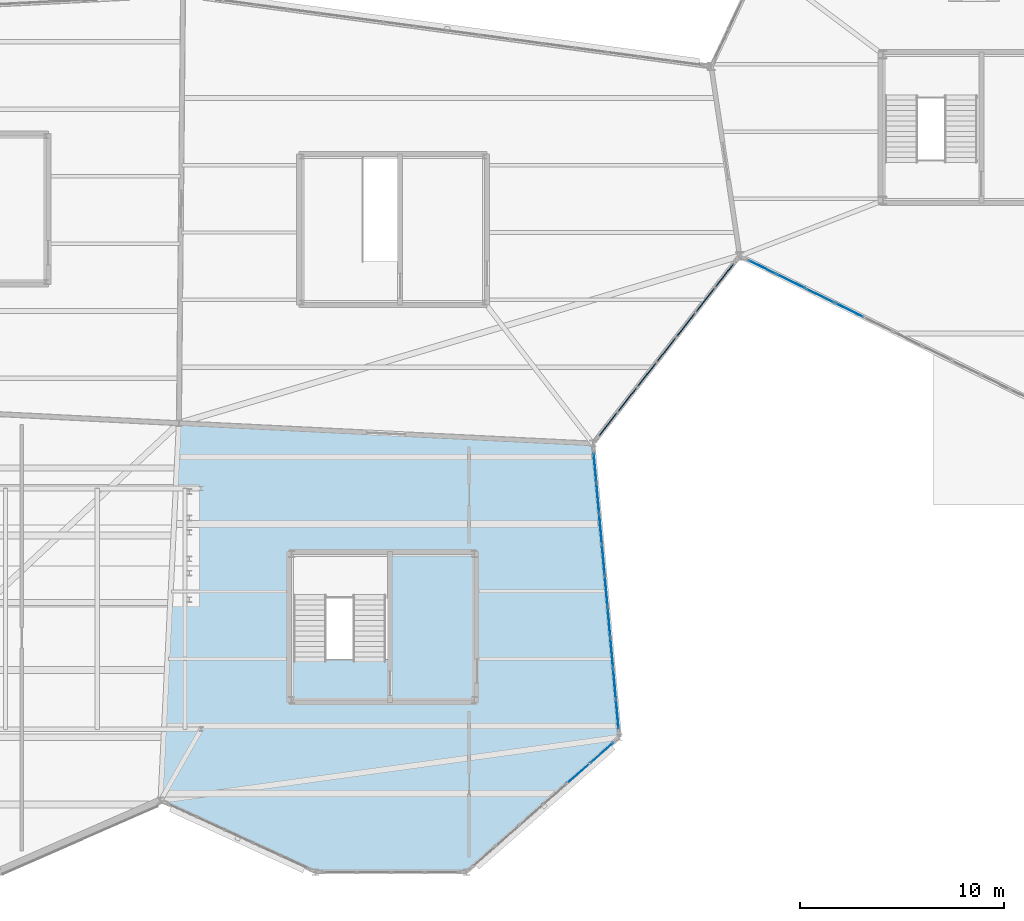
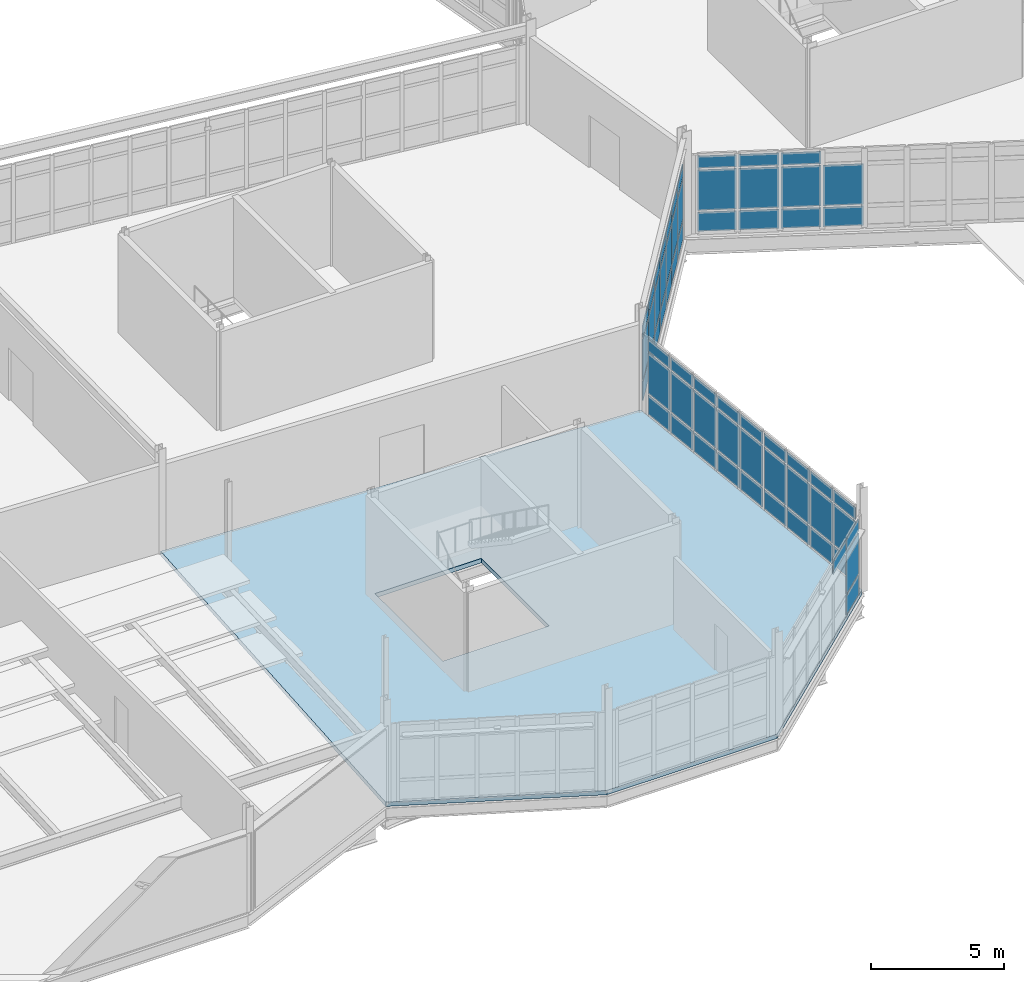
# One storey, part 82 of 134: 63 plates, 1 slab, 4 elements without a shape of their own.
"""IFC4 building model written with IfcOpenShell, lengths in metres."""

import ifcopenshell
import ifcopenshell.guid

model = None  # the IFC model being written
_history = None  # IfcOwnerHistory: only IFC2X3 demands one
_inside = {}  # id of a spatial element -> (the spatial element, [elements in it])
_under = {}  # id of a project, library or spatial element -> (it, [spatial elements below it])
_declared = {}  # id of a project -> (the project, [libraries it declares])
_typed = {}  # id of a type object -> (the type object, [elements of that type])
_made_of = {}  # id of a material, layer set ... -> (it, [elements and type objects made of it])


def new_model(schema):
    """Start an empty IFC model of exactly this schema.

    Asked for "IFC4X3", IfcOpenShell would pick the latest addendum, in which some entities
    have other attributes; the version numbers below select the first issue.
    IFC2X3 requires an IfcOwnerHistory on every rooted entity: one is made here for all.
    """
    global model, _history
    if schema == "IFC4X3":
        model = ifcopenshell.file(schema_version=(4, 3, 0, 0))
    else:
        model = ifcopenshell.file(schema=schema)
    _inside.clear()
    _under.clear()
    _declared.clear()
    _typed.clear()
    _made_of.clear()
    _history = None
    if model.schema == "IFC2X3":
        org = make("IfcOrganization", Name="unknown")
        user = make(
            "IfcPersonAndOrganization",
            ThePerson=make("IfcPerson", FamilyName="unknown"),
            TheOrganization=org,
        )
        app = make(
            "IfcApplication",
            ApplicationDeveloper=org,
            Version="unknown",
            ApplicationFullName="unknown",
            ApplicationIdentifier="unknown",
        )
        _history = make(
            "IfcOwnerHistory",
            OwningUser=user,
            OwningApplication=app,
            ChangeAction="ADDED",
            CreationDate=0,
        )
    return model


def make(cls, **values):
    """One entity of the class cls with the attributes given. An attribute that is None is left unset."""
    return model.create_entity(
        cls, **{name: value for name, value in values.items() if value is not None}
    )


def rooted(cls, **values):
    """An entity with a GlobalId (a new one), such as an element, a storey or a relation."""
    return make(cls, GlobalId=ifcopenshell.guid.new(), OwnerHistory=_history, **values)


def si_unit(unit_type, name, prefix=None):
    """IfcSIUnit, for example si_unit("LENGTHUNIT", "METRE", prefix="MILLI")."""
    return make("IfcSIUnit", UnitType=unit_type, Prefix=prefix, Name=name)


def assignment(units):
    """IfcUnitAssignment: the units of a project."""
    return None if units is None else make("IfcUnitAssignment", Units=units)


def point(xyz):
    """IfcCartesianPoint."""
    return None if xyz is None else make("IfcCartesianPoint", Coordinates=xyz)


def direction(xyz):
    """IfcDirection."""
    return None if xyz is None else make("IfcDirection", DirectionRatios=xyz)


def frame(location, z_axis=None, x_axis=None):
    """IfcAxis2Placement3D, a coordinate frame: its origin and axes. An axis left out is left unset."""
    return make(
        "IfcAxis2Placement3D",
        Location=point(location),
        Axis=direction(z_axis),
        RefDirection=direction(x_axis),
    )


def frame_2d(location, x_axis=None):
    """IfcAxis2Placement2D, a coordinate frame in the plane: its origin and x axis."""
    return make(
        "IfcAxis2Placement2D", Location=point(location), RefDirection=direction(x_axis)
    )


def origin():
    """The frame at (0, 0, 0) with its axes left unset."""
    return frame((0.0, 0.0, 0.0))


def origin_2d():
    """The frame at (0, 0) in the plane with its x axis left unset."""
    return frame_2d((0.0, 0.0))


def place(relative_to, where):
    """IfcLocalPlacement: puts the frame where relative to a parent placement (None: the world)."""
    return make(
        "IfcLocalPlacement", PlacementRelTo=relative_to, RelativePlacement=where
    )


def context(
    kind, dimensions, precision=None, world=None, true_north=None, identifier=None
):
    """IfcGeometricRepresentationContext, for example the 3D "Model" context."""
    return make(
        "IfcGeometricRepresentationContext",
        ContextIdentifier=identifier,
        ContextType=kind,
        CoordinateSpaceDimension=dimensions,
        Precision=precision,
        WorldCoordinateSystem=world,
        TrueNorth=true_north,
    )


def subcontext(parent, identifier, kind, view, scale=None):
    """IfcGeometricRepresentationSubContext, for example "Body" below "Model"."""
    return make(
        "IfcGeometricRepresentationSubContext",
        ContextIdentifier=identifier,
        ContextType=kind,
        ParentContext=parent,
        TargetScale=scale,
        TargetView=view,
    )


def project(units=None, contexts=None):
    """IfcProject with its units and contexts."""
    return rooted(
        "IfcProject",
        Name="project",
        RepresentationContexts=contexts,
        UnitsInContext=assignment(units),
    )


def spatial(cls, under=None, at=None, **own):
    """A site, building, storey or space (cls), placed at a placement, below another one or the project."""
    s = rooted(cls, ObjectPlacement=at, **own)
    if under is not None:
        _under.setdefault(under.id(), (under, []))[1].append(s)
    return s


def polyline(points):
    """IfcPolyline through the points."""
    return make("IfcPolyline", Points=[point(p) for p in points])


def profile(cls, at=None, kind="AREA", **sizes):
    """A parametric profile (cls). Its sizes go by their IFC names, for example OverallWidth=200.0."""
    return make(cls, ProfileType=kind, Position=at, **sizes)


def rectangle(**sizes):
    """IfcRectangleProfileDef."""
    return profile("IfcRectangleProfileDef", **sizes)


def outline(outer, holes=None, kind="AREA"):
    """IfcArbitraryClosedProfileDef: a profile drawn as a closed curve; with holes, ...WithVoids."""
    if holes is None:
        return make("IfcArbitraryClosedProfileDef", ProfileType=kind, OuterCurve=outer)
    return make(
        "IfcArbitraryProfileDefWithVoids",
        ProfileType=kind,
        OuterCurve=outer,
        InnerCurves=holes,
    )


def extrude(swept, where, along, depth):
    """IfcExtrudedAreaSolid: the profile swept, set in the frame where, extruded along a direction by depth."""
    return make(
        "IfcExtrudedAreaSolid",
        SweptArea=swept,
        Position=where,
        ExtrudedDirection=direction(along),
        Depth=depth,
    )


def shape(context_of_items, identifier, shape_type, items):
    """IfcShapeRepresentation: the items that make up one representation, for example the "Body"."""
    return make(
        "IfcShapeRepresentation",
        ContextOfItems=context_of_items,
        RepresentationIdentifier=identifier,
        RepresentationType=shape_type,
        Items=items,
    )


def material(Name=None, Category=None):
    """IfcMaterial."""
    return make("IfcMaterial", Name=Name, Category=Category)


def layer(
    of_material, thickness, ventilated=None, Name=None, Category=None, Priority=None
):
    """IfcMaterialLayer: one layer of a wall or slab, of a material (None: an air gap)."""
    return make(
        "IfcMaterialLayer",
        Material=of_material,
        LayerThickness=thickness,
        IsVentilated=ventilated,
        Name=Name,
        Category=Category,
        Priority=Priority,
    )


def layer_set(layers, Name=None):
    """IfcMaterialLayerSet."""
    return make("IfcMaterialLayerSet", MaterialLayers=layers, LayerSetName=Name)


def made_of(thing, what):
    """Note that an element or type object is made of a material, layer set ...; save() writes the relation."""
    if what is not None:
        _made_of.setdefault(what.id(), (what, []))[1].append(thing)
    return thing


def type_object(cls, material=None, **own):
    """A type object (cls), such as IfcWallType, which elements share."""
    return made_of(rooted(cls, **own), material)


def element(
    cls,
    number,
    at=None,
    inside=None,
    cuts=None,
    type_object=None,
    material=None,
    context=None,
    identifier="Body",
    shape_type=None,
    held_by="IfcProductDefinitionShape",
    body=None,
    shapes=None,
    **own,
):
    """One element of the class cls, such as IfcWall. Its Tag is "e" and its number.

    at: its placement. inside: the storey or other place that contains it. cuts: it is an
    opening in that element (IfcRelVoidsElement). A single representation is given by context,
    identifier, shape_type and body (its items); several are given by shapes. held_by: the class
    of the entity that holds the representations. save() writes the other relations.
    """
    e = rooted(cls, Tag="e%d" % number, ObjectPlacement=at, **own)
    if body is not None:
        shapes = [shape(context, identifier, shape_type, body)]
    if shapes is not None:
        e.Representation = make(held_by, Representations=shapes)
    if inside is not None:
        _inside.setdefault(inside.id(), (inside, []))[1].append(e)
    if cuts is not None:
        rooted(
            "IfcRelVoidsElement", RelatingBuildingElement=cuts, RelatedOpeningElement=e
        )
    if type_object is not None:
        _typed.setdefault(type_object.id(), (type_object, []))[1].append(e)
    return made_of(e, material)


def aggregate(whole, parts):
    """IfcRelAggregates: a whole, such as a stair, and the parts it consists of."""
    return rooted("IfcRelAggregates", RelatingObject=whole, RelatedObjects=parts)


def save(model, path):
    """Write the relations noted so far, then the file.

    IfcRelAggregates (storeys below a building ...), IfcRelContainedInSpatialStructure (elements
    in a storey), IfcRelDefinesByType, IfcRelAssociatesMaterial and IfcRelDeclares: one each for
    every whole, place, type object, material and project.
    """
    for whole, parts in _under.values():
        aggregate(whole, parts)
    for where, things in _inside.values():
        rooted(
            "IfcRelContainedInSpatialStructure",
            RelatedElements=things,
            RelatingStructure=where,
        )
    for kind, things in _typed.values():
        rooted("IfcRelDefinesByType", RelatedObjects=things, RelatingType=kind)
    for what, things in _made_of.values():
        rooted("IfcRelAssociatesMaterial", RelatedObjects=things, RelatingMaterial=what)
    for by, libraries in _declared.values():
        rooted("IfcRelDeclares", RelatingContext=by, RelatedDefinitions=libraries)
    model.write(path)


model = new_model("IFC4")

# Units and contexts
model_context = context("Model", 3, precision=1e-05, world=origin(), true_north=direction((0.0, 1.0)))
body_context = subcontext(model_context, "Body", "Model", "MODEL_VIEW")
ifc_project = project(units=[si_unit("LENGTHUNIT", "METRE"), si_unit("AREAUNIT", "SQUARE_METRE"), si_unit("VOLUMEUNIT", "CUBIC_METRE"), si_unit("PLANEANGLEUNIT", "RADIAN"), si_unit("MASSUNIT", "GRAM", prefix="KILO")], contexts=[model_context])

# Site, building, storey
site_placement = place(None, origin())
site = spatial("IfcSite", under=ifc_project, at=site_placement, CompositionType="ELEMENT")
building_placement = place(site_placement, origin())
building = spatial("IfcBuilding", under=site, at=building_placement, Name="Tameran Prism Museum", CompositionType="ELEMENT")
storey_placement = place(building_placement, frame((0.0, 0.0, 5.39990234375)))
storey = spatial("IfcBuildingStorey", under=building, at=storey_placement, Name="L01", CompositionType="ELEMENT", Elevation=5.39990234375)

# Curtain wall, plates
ifc_material_1 = material(Name="Anodised Aluminium 6063-T6 and Cyclone Solar Glass", Category="aluminium")
curtain_wall_type_1 = type_object("IfcCurtainWallType", Name="CW-FAC-929x362", PredefinedType="USERDEFINED", material=ifc_material_1)
curtain_wall_1_placement = place(storey_placement, origin())
curtain_wall_1 = element("IfcCurtainWall", 1, at=curtain_wall_1_placement, inside=storey, type_object=curtain_wall_type_1, Name="Unitised Curtain Wall CW-085", ObjectType="UNITISED CURTAIN WALL", PredefinedType="USERDEFINED")
ifc_material_2 = material(Name="Low-E Laminated Solar Glass", Category="glass")
ifc_layer_1 = layer(ifc_material_2, 0.028076171875)
ifc_layer_set_1 = layer_set([ifc_layer_1])
plate_type_1 = type_object("IfcPlateType", Name="CW-PNL-G28", PredefinedType="CURTAIN_PANEL", material=ifc_layer_set_1)
plate_1_placement = place(storey_placement, frame((44.24169921875, 5.84521484375, 0.0751953125), z_axis=(0.0, 0.0, 1.0), x_axis=(-0.750666538716, -0.660681275391, 0.0)))
plate_1 = element("IfcPlate", 2, at=plate_1_placement, type_object=plate_type_1, Name="CW-085 panel 1.1", PredefinedType="CURTAIN_PANEL", context=body_context, shape_type="SweptSolid", body=[
    extrude(rectangle(XDim=1.435791015625, YDim=0.028076171875, at=origin_2d()), origin(), (0.0, 0.0, 1.0), 0.887451171875),
])
plate_2_placement = place(storey_placement, frame((44.24169921875, 5.84521484375, 1.03759765625), z_axis=(0.0, 0.0, 1.0), x_axis=(-0.750666538716, -0.660681275391, 0.0)))
plate_2 = element("IfcPlate", 3, at=plate_2_placement, type_object=plate_type_1, Name="CW-085 panel 1.2", PredefinedType="CURTAIN_PANEL", context=body_context, shape_type="SweptSolid", body=[
    extrude(rectangle(XDim=1.435791015625, YDim=0.028076171875, at=origin_2d()), origin(), (0.0, 0.0, 1.0), 1.864990234375),
])
plate_3_placement = place(storey_placement, frame((44.24169921875, 5.84521484375, 2.9775390625), z_axis=(0.0, 0.0, 1.0), x_axis=(-0.750666538716, -0.660681275391, 0.0)))
plate_3 = element("IfcPlate", 4, at=plate_3_placement, type_object=plate_type_1, Name="CW-085 panel 1.3", PredefinedType="CURTAIN_PANEL", context=body_context, shape_type="SweptSolid", body=[
    extrude(rectangle(XDim=1.435791015625, YDim=0.028076171875, at=origin_2d()), origin(), (0.0, 0.0, 1.0), 0.5673828125),
])
plate_4_placement = place(storey_placement, frame((43.093505859375, 4.83447265625, 2.9775390625), z_axis=(0.0, 0.0, 1.0), x_axis=(-0.750666538716, -0.660681275391, 0.0)))
plate_4 = element("IfcPlate", 5, at=plate_4_placement, type_object=plate_type_1, Name="CW-085 panel 2.3", PredefinedType="CURTAIN_PANEL", context=body_context, shape_type="SweptSolid", body=[
    extrude(rectangle(XDim=1.473388671875, YDim=0.028076171875, at=origin_2d()), origin(), (0.0, 0.0, 1.0), 0.5673828125),
])
aggregate(curtain_wall_1, [plate_1, plate_2, plate_3, plate_4])

ifc_material_3 = material(Name="Anodised Aluminium 6063-T6 and Cyclone Solar Glass", Category="aluminium")
curtain_wall_type_2 = type_object("IfcCurtainWallType", Name="CW-FAC-1370x362", PredefinedType="USERDEFINED", material=ifc_material_3)
curtain_wall_2_placement = place(storey_placement, origin())
curtain_wall_2 = element("IfcCurtainWall", 6, at=curtain_wall_2_placement, inside=storey, type_object=curtain_wall_type_2, Name="Unitised Curtain Wall CW-086", ObjectType="UNITISED CURTAIN WALL", PredefinedType="USERDEFINED")
plate_5_placement = place(storey_placement, frame((43.90625, 19.813232421875, 0.080078125), z_axis=(0.0, 0.0, 1.0), x_axis=(0.090015719474, -0.995940344723, 0.0)))
plate_5 = element("IfcPlate", 7, at=plate_5_placement, type_object=plate_type_1, Name="CW-086 panel 1.1", PredefinedType="CURTAIN_PANEL", context=body_context, shape_type="SweptSolid", body=[
    extrude(rectangle(XDim=1.40185546875, YDim=0.028076171875, at=origin_2d()), origin(), (0.0, 0.0, 1.0), 0.8798828125),
])
plate_6_placement = place(storey_placement, frame((43.90625, 19.813232421875, 1.0400390625), z_axis=(0.0, 0.0, 1.0), x_axis=(0.090015719474, -0.995940344723, 0.0)))
plate_6 = element("IfcPlate", 8, at=plate_6_placement, type_object=plate_type_1, Name="CW-086 panel 1.2", PredefinedType="CURTAIN_PANEL", context=body_context, shape_type="SweptSolid", body=[
    extrude(rectangle(XDim=1.40185546875, YDim=0.028076171875, at=origin_2d()), origin(), (0.0, 0.0, 1.0), 1.860107421875),
])
plate_7_placement = place(storey_placement, frame((43.90625, 19.813232421875, 2.97998046875), z_axis=(0.0, 0.0, 1.0), x_axis=(0.090015719474, -0.995940344723, 0.0)))
plate_7 = element("IfcPlate", 9, at=plate_7_placement, type_object=plate_type_1, Name="CW-086 panel 1.3", PredefinedType="CURTAIN_PANEL", context=body_context, shape_type="SweptSolid", body=[
    extrude(rectangle(XDim=1.40185546875, YDim=0.028076171875, at=origin_2d()), origin(), (0.0, 0.0, 1.0), 0.56005859375),
])
plate_8_placement = place(storey_placement, frame((44.04150390625, 18.3173828125, 0.080078125), z_axis=(0.0, 0.0, 1.0), x_axis=(0.090015719474, -0.995940344723, 0.0)))
plate_8 = element("IfcPlate", 10, at=plate_8_placement, type_object=plate_type_1, Name="CW-086 panel 2.1", PredefinedType="CURTAIN_PANEL", context=body_context, shape_type="SweptSolid", body=[
    extrude(rectangle(XDim=1.44189453125, YDim=0.028076171875, at=origin_2d()), origin(), (0.0, 0.0, 1.0), 0.8798828125),
])
plate_9_placement = place(storey_placement, frame((44.04150390625, 18.3173828125, 1.0400390625), z_axis=(0.0, 0.0, 1.0), x_axis=(0.090015719474, -0.995940344723, 0.0)))
plate_9 = element("IfcPlate", 11, at=plate_9_placement, type_object=plate_type_1, Name="CW-086 panel 2.2", PredefinedType="CURTAIN_PANEL", context=body_context, shape_type="SweptSolid", body=[
    extrude(rectangle(XDim=1.44189453125, YDim=0.028076171875, at=origin_2d()), origin(), (0.0, 0.0, 1.0), 1.860107421875),
])
plate_10_placement = place(storey_placement, frame((44.04150390625, 18.3173828125, 2.97998046875), z_axis=(0.0, 0.0, 1.0), x_axis=(0.090015719474, -0.995940344723, 0.0)))
plate_10 = element("IfcPlate", 12, at=plate_10_placement, type_object=plate_type_1, Name="CW-086 panel 2.3", PredefinedType="CURTAIN_PANEL", context=body_context, shape_type="SweptSolid", body=[
    extrude(rectangle(XDim=1.44189453125, YDim=0.028076171875, at=origin_2d()), origin(), (0.0, 0.0, 1.0), 0.56005859375),
])
plate_11_placement = place(storey_placement, frame((44.178466796875, 16.801513671875, 0.080078125), z_axis=(0.0, 0.0, 1.0), x_axis=(0.090015719474, -0.995940344723, 0.0)))
plate_11 = element("IfcPlate", 13, at=plate_11_placement, type_object=plate_type_1, Name="CW-086 panel 3.1", PredefinedType="CURTAIN_PANEL", context=body_context, shape_type="SweptSolid", body=[
    extrude(rectangle(XDim=1.44189453125, YDim=0.028076171875, at=origin_2d()), origin(), (0.0, 0.0, 1.0), 0.8798828125),
])
plate_12_placement = place(storey_placement, frame((44.178466796875, 16.801513671875, 1.0400390625), z_axis=(0.0, 0.0, 1.0), x_axis=(0.090015719474, -0.995940344723, 0.0)))
plate_12 = element("IfcPlate", 14, at=plate_12_placement, type_object=plate_type_1, Name="CW-086 panel 3.2", PredefinedType="CURTAIN_PANEL", context=body_context, shape_type="SweptSolid", body=[
    extrude(rectangle(XDim=1.44189453125, YDim=0.028076171875, at=origin_2d()), origin(), (0.0, 0.0, 1.0), 1.860107421875),
])
plate_13_placement = place(storey_placement, frame((44.178466796875, 16.801513671875, 2.97998046875), z_axis=(0.0, 0.0, 1.0), x_axis=(0.090015719474, -0.995940344723, 0.0)))
plate_13 = element("IfcPlate", 15, at=plate_13_placement, type_object=plate_type_1, Name="CW-086 panel 3.3", PredefinedType="CURTAIN_PANEL", context=body_context, shape_type="SweptSolid", body=[
    extrude(rectangle(XDim=1.44189453125, YDim=0.028076171875, at=origin_2d()), origin(), (0.0, 0.0, 1.0), 0.56005859375),
])
plate_14_placement = place(storey_placement, frame((44.3154296875, 15.285888671875, 0.080078125), z_axis=(0.0, 0.0, 1.0), x_axis=(0.090015719474, -0.995940344723, 0.0)))
plate_14 = element("IfcPlate", 16, at=plate_14_placement, type_object=plate_type_1, Name="CW-086 panel 4.1", PredefinedType="CURTAIN_PANEL", context=body_context, shape_type="SweptSolid", body=[
    extrude(rectangle(XDim=1.44189453125, YDim=0.028076171875, at=origin_2d()), origin(), (0.0, 0.0, 1.0), 0.8798828125),
])
plate_15_placement = place(storey_placement, frame((44.3154296875, 15.285888671875, 1.0400390625), z_axis=(0.0, 0.0, 1.0), x_axis=(0.090015719474, -0.995940344723, 0.0)))
plate_15 = element("IfcPlate", 17, at=plate_15_placement, type_object=plate_type_1, Name="CW-086 panel 4.2", PredefinedType="CURTAIN_PANEL", context=body_context, shape_type="SweptSolid", body=[
    extrude(rectangle(XDim=1.44189453125, YDim=0.028076171875, at=origin_2d()), origin(), (0.0, 0.0, 1.0), 1.860107421875),
])
plate_16_placement = place(storey_placement, frame((44.3154296875, 15.285888671875, 2.97998046875), z_axis=(0.0, 0.0, 1.0), x_axis=(0.090015719474, -0.995940344723, 0.0)))
plate_16 = element("IfcPlate", 18, at=plate_16_placement, type_object=plate_type_1, Name="CW-086 panel 4.3", PredefinedType="CURTAIN_PANEL", context=body_context, shape_type="SweptSolid", body=[
    extrude(rectangle(XDim=1.44189453125, YDim=0.028076171875, at=origin_2d()), origin(), (0.0, 0.0, 1.0), 0.56005859375),
])
plate_17_placement = place(storey_placement, frame((44.452392578125, 13.77001953125, 0.080078125), z_axis=(0.0, 0.0, 1.0), x_axis=(0.090015719474, -0.995940344723, 0.0)))
plate_17 = element("IfcPlate", 19, at=plate_17_placement, type_object=plate_type_1, Name="CW-086 panel 5.1", PredefinedType="CURTAIN_PANEL", context=body_context, shape_type="SweptSolid", body=[
    extrude(rectangle(XDim=1.44189453125, YDim=0.028076171875, at=origin_2d()), origin(), (0.0, 0.0, 1.0), 0.8798828125),
])
plate_18_placement = place(storey_placement, frame((44.452392578125, 13.77001953125, 1.0400390625), z_axis=(0.0, 0.0, 1.0), x_axis=(0.090015719474, -0.995940344723, 0.0)))
plate_18 = element("IfcPlate", 20, at=plate_18_placement, type_object=plate_type_1, Name="CW-086 panel 5.2", PredefinedType="CURTAIN_PANEL", context=body_context, shape_type="SweptSolid", body=[
    extrude(rectangle(XDim=1.44189453125, YDim=0.028076171875, at=origin_2d()), origin(), (0.0, 0.0, 1.0), 1.860107421875),
])
plate_19_placement = place(storey_placement, frame((44.452392578125, 13.77001953125, 2.97998046875), z_axis=(0.0, 0.0, 1.0), x_axis=(0.090015719474, -0.995940344723, 0.0)))
plate_19 = element("IfcPlate", 21, at=plate_19_placement, type_object=plate_type_1, Name="CW-086 panel 5.3", PredefinedType="CURTAIN_PANEL", context=body_context, shape_type="SweptSolid", body=[
    extrude(rectangle(XDim=1.44189453125, YDim=0.028076171875, at=origin_2d()), origin(), (0.0, 0.0, 1.0), 0.56005859375),
])
plate_20_placement = place(storey_placement, frame((44.589599609375, 12.254150390625, 0.080078125), z_axis=(0.0, 0.0, 1.0), x_axis=(0.090015719474, -0.995940344723, 0.0)))
plate_20 = element("IfcPlate", 22, at=plate_20_placement, type_object=plate_type_1, Name="CW-086 panel 6.1", PredefinedType="CURTAIN_PANEL", context=body_context, shape_type="SweptSolid", body=[
    extrude(rectangle(XDim=1.44189453125, YDim=0.028076171875, at=origin_2d()), origin(), (0.0, 0.0, 1.0), 0.8798828125),
])
plate_21_placement = place(storey_placement, frame((44.589599609375, 12.254150390625, 1.0400390625), z_axis=(0.0, 0.0, 1.0), x_axis=(0.090015719474, -0.995940344723, 0.0)))
plate_21 = element("IfcPlate", 23, at=plate_21_placement, type_object=plate_type_1, Name="CW-086 panel 6.2", PredefinedType="CURTAIN_PANEL", context=body_context, shape_type="SweptSolid", body=[
    extrude(rectangle(XDim=1.44189453125, YDim=0.028076171875, at=origin_2d()), origin(), (0.0, 0.0, 1.0), 1.860107421875),
])
plate_22_placement = place(storey_placement, frame((44.589599609375, 12.254150390625, 2.97998046875), z_axis=(0.0, 0.0, 1.0), x_axis=(0.090015719474, -0.995940344723, 0.0)))
plate_22 = element("IfcPlate", 24, at=plate_22_placement, type_object=plate_type_1, Name="CW-086 panel 6.3", PredefinedType="CURTAIN_PANEL", context=body_context, shape_type="SweptSolid", body=[
    extrude(rectangle(XDim=1.44189453125, YDim=0.028076171875, at=origin_2d()), origin(), (0.0, 0.0, 1.0), 0.56005859375),
])
plate_23_placement = place(storey_placement, frame((44.7265625, 10.738525390625, 0.080078125), z_axis=(0.0, 0.0, 1.0), x_axis=(0.090015719474, -0.995940344723, 0.0)))
plate_23 = element("IfcPlate", 25, at=plate_23_placement, type_object=plate_type_1, Name="CW-086 panel 7.1", PredefinedType="CURTAIN_PANEL", context=body_context, shape_type="SweptSolid", body=[
    extrude(rectangle(XDim=1.44189453125, YDim=0.028076171875, at=origin_2d()), origin(), (0.0, 0.0, 1.0), 0.8798828125),
])
plate_24_placement = place(storey_placement, frame((44.7265625, 10.738525390625, 1.0400390625), z_axis=(0.0, 0.0, 1.0), x_axis=(0.090015719474, -0.995940344723, 0.0)))
plate_24 = element("IfcPlate", 26, at=plate_24_placement, type_object=plate_type_1, Name="CW-086 panel 7.2", PredefinedType="CURTAIN_PANEL", context=body_context, shape_type="SweptSolid", body=[
    extrude(rectangle(XDim=1.44189453125, YDim=0.028076171875, at=origin_2d()), origin(), (0.0, 0.0, 1.0), 1.860107421875),
])
plate_25_placement = place(storey_placement, frame((44.7265625, 10.738525390625, 2.97998046875), z_axis=(0.0, 0.0, 1.0), x_axis=(0.090015719474, -0.995940344723, 0.0)))
plate_25 = element("IfcPlate", 27, at=plate_25_placement, type_object=plate_type_1, Name="CW-086 panel 7.3", PredefinedType="CURTAIN_PANEL", context=body_context, shape_type="SweptSolid", body=[
    extrude(rectangle(XDim=1.44189453125, YDim=0.028076171875, at=origin_2d()), origin(), (0.0, 0.0, 1.0), 0.56005859375),
])
plate_26_placement = place(storey_placement, frame((44.863525390625, 9.22265625, 0.080078125), z_axis=(0.0, 0.0, 1.0), x_axis=(0.090015719474, -0.995940344723, 0.0)))
plate_26 = element("IfcPlate", 28, at=plate_26_placement, type_object=plate_type_1, Name="CW-086 panel 8.1", PredefinedType="CURTAIN_PANEL", context=body_context, shape_type="SweptSolid", body=[
    extrude(rectangle(XDim=1.44189453125, YDim=0.028076171875, at=origin_2d()), origin(), (0.0, 0.0, 1.0), 0.8798828125),
])
plate_27_placement = place(storey_placement, frame((44.863525390625, 9.22265625, 1.0400390625), z_axis=(0.0, 0.0, 1.0), x_axis=(0.090015719474, -0.995940344723, 0.0)))
plate_27 = element("IfcPlate", 29, at=plate_27_placement, type_object=plate_type_1, Name="CW-086 panel 8.2", PredefinedType="CURTAIN_PANEL", context=body_context, shape_type="SweptSolid", body=[
    extrude(rectangle(XDim=1.44189453125, YDim=0.028076171875, at=origin_2d()), origin(), (0.0, 0.0, 1.0), 1.860107421875),
])
plate_28_placement = place(storey_placement, frame((44.863525390625, 9.22265625, 2.97998046875), z_axis=(0.0, 0.0, 1.0), x_axis=(0.090015719474, -0.995940344723, 0.0)))
plate_28 = element("IfcPlate", 30, at=plate_28_placement, type_object=plate_type_1, Name="CW-086 panel 8.3", PredefinedType="CURTAIN_PANEL", context=body_context, shape_type="SweptSolid", body=[
    extrude(rectangle(XDim=1.44189453125, YDim=0.028076171875, at=origin_2d()), origin(), (0.0, 0.0, 1.0), 0.56005859375),
])
plate_29_placement = place(storey_placement, frame((44.998779296875, 7.726806640625, 0.080078125), z_axis=(0.0, 0.0, 1.0), x_axis=(0.090015719474, -0.995940344723, 0.0)))
plate_29 = element("IfcPlate", 31, at=plate_29_placement, type_object=plate_type_1, Name="CW-086 panel 9.1", PredefinedType="CURTAIN_PANEL", context=body_context, shape_type="SweptSolid", body=[
    extrude(rectangle(XDim=1.40185546875, YDim=0.028076171875, at=origin_2d()), origin(), (0.0, 0.0, 1.0), 0.8798828125),
])
plate_30_placement = place(storey_placement, frame((44.998779296875, 7.726806640625, 1.0400390625), z_axis=(0.0, 0.0, 1.0), x_axis=(0.090015719474, -0.995940344723, 0.0)))
plate_30 = element("IfcPlate", 32, at=plate_30_placement, type_object=plate_type_1, Name="CW-086 panel 9.2", PredefinedType="CURTAIN_PANEL", context=body_context, shape_type="SweptSolid", body=[
    extrude(rectangle(XDim=1.40185546875, YDim=0.028076171875, at=origin_2d()), origin(), (0.0, 0.0, 1.0), 1.860107421875),
])
plate_31_placement = place(storey_placement, frame((44.998779296875, 7.726806640625, 2.97998046875), z_axis=(0.0, 0.0, 1.0), x_axis=(0.090015719474, -0.995940344723, 0.0)))
plate_31 = element("IfcPlate", 33, at=plate_31_placement, type_object=plate_type_1, Name="CW-086 panel 9.3", PredefinedType="CURTAIN_PANEL", context=body_context, shape_type="SweptSolid", body=[
    extrude(rectangle(XDim=1.40185546875, YDim=0.028076171875, at=origin_2d()), origin(), (0.0, 0.0, 1.0), 0.56005859375),
])
aggregate(curtain_wall_2, [plate_5, plate_6, plate_7, plate_8, plate_9, plate_10, plate_11, plate_12, plate_13, plate_14, plate_15, plate_16, plate_17, plate_18, plate_19, plate_20, plate_21, plate_22, plate_23, plate_24, plate_25, plate_26, plate_27, plate_28, plate_29, plate_30, plate_31])

ifc_material_4 = material(Name="Anodised Aluminium 6063-T6 and Cyclone Solar Glass", Category="aluminium")
curtain_wall_type_3 = type_object("IfcCurtainWallType", Name="CW-FAC-1597x362", PredefinedType="USERDEFINED", material=ifc_material_4)
curtain_wall_3_placement = place(storey_placement, origin())
curtain_wall_3 = element("IfcCurtainWall", 34, at=curtain_wall_3_placement, inside=storey, type_object=curtain_wall_type_3, Name="Unitised Curtain Wall CW-062", ObjectType="UNITISED CURTAIN WALL", PredefinedType="USERDEFINED")
ifc_material_5 = material(Name="Cyclone Laminated Solar Glass", Category="glass")
ifc_layer_2 = layer(ifc_material_5, 0.031982421875)
ifc_layer_set_2 = layer_set([ifc_layer_2])
plate_type_2 = type_object("IfcPlateType", Name="CW-PNL-G32", PredefinedType="CURTAIN_PANEL", material=ifc_layer_set_2)
plate_32_placement = place(storey_placement, frame((56.37939453125, 27.5458984375, 0.080078125), z_axis=(0.0, 0.0, 1.0), x_axis=(-0.896819470069, 0.442396697666, 0.0)))
plate_32 = element("IfcPlate", 35, at=plate_32_placement, type_object=plate_type_2, Name="CW-062 panel 7.1", PredefinedType="CURTAIN_PANEL", context=body_context, shape_type="SweptSolid", body=[
    extrude(rectangle(XDim=1.5166015625, YDim=0.031982421875, at=origin_2d()), origin(), (0.0, 0.0, 1.0), 0.8798828125),
])
plate_33_placement = place(storey_placement, frame((56.37939453125, 27.5458984375, 1.0400390625), z_axis=(0.0, 0.0, 1.0), x_axis=(-0.896819470069, 0.442396697666, 0.0)))
plate_33 = element("IfcPlate", 36, at=plate_33_placement, type_object=plate_type_2, Name="CW-062 panel 7.2", PredefinedType="CURTAIN_PANEL", context=body_context, shape_type="SweptSolid", body=[
    extrude(rectangle(XDim=1.5166015625, YDim=0.031982421875, at=origin_2d()), origin(), (0.0, 0.0, 1.0), 1.860107421875),
])
plate_34_placement = place(storey_placement, frame((54.947509765625, 28.252197265625, 0.080078125), z_axis=(0.0, 0.0, 1.0), x_axis=(-0.896819470069, 0.442396697666, 0.0)))
plate_34 = element("IfcPlate", 37, at=plate_34_placement, type_object=plate_type_2, Name="CW-062 panel 8.1", PredefinedType="CURTAIN_PANEL", context=body_context, shape_type="SweptSolid", body=[
    extrude(rectangle(XDim=1.5166015625, YDim=0.031982421875, at=origin_2d()), origin(), (0.0, 0.0, 1.0), 0.8798828125),
])
plate_35_placement = place(storey_placement, frame((54.947509765625, 28.252197265625, 1.0400390625), z_axis=(0.0, 0.0, 1.0), x_axis=(-0.896819470069, 0.442396697666, 0.0)))
plate_35 = element("IfcPlate", 38, at=plate_35_placement, type_object=plate_type_2, Name="CW-062 panel 8.2", PredefinedType="CURTAIN_PANEL", context=body_context, shape_type="SweptSolid", body=[
    extrude(rectangle(XDim=1.5166015625, YDim=0.031982421875, at=origin_2d()), origin(), (0.0, 0.0, 1.0), 1.860107421875),
])
plate_36_placement = place(storey_placement, frame((54.947509765625, 28.252197265625, 2.97998046875), z_axis=(0.0, 0.0, 1.0), x_axis=(-0.896819470069, 0.442396697666, 0.0)))
plate_36 = element("IfcPlate", 39, at=plate_36_placement, type_object=plate_type_2, Name="CW-062 panel 8.3", PredefinedType="CURTAIN_PANEL", context=body_context, shape_type="SweptSolid", body=[
    extrude(rectangle(XDim=1.5166015625, YDim=0.031982421875, at=origin_2d()), origin(), (0.0, 0.0, 1.0), 0.56005859375),
])
plate_37_placement = place(storey_placement, frame((53.515625, 28.95849609375, 0.080078125), z_axis=(0.0, 0.0, 1.0), x_axis=(-0.896819470069, 0.442396697666, 0.0)))
plate_37 = element("IfcPlate", 40, at=plate_37_placement, type_object=plate_type_2, Name="CW-062 panel 9.1", PredefinedType="CURTAIN_PANEL", context=body_context, shape_type="SweptSolid", body=[
    extrude(rectangle(XDim=1.5166015625, YDim=0.031982421875, at=origin_2d()), origin(), (0.0, 0.0, 1.0), 0.8798828125),
])
plate_38_placement = place(storey_placement, frame((53.515625, 28.95849609375, 1.0400390625), z_axis=(0.0, 0.0, 1.0), x_axis=(-0.896819470069, 0.442396697666, 0.0)))
plate_38 = element("IfcPlate", 41, at=plate_38_placement, type_object=plate_type_2, Name="CW-062 panel 9.2", PredefinedType="CURTAIN_PANEL", context=body_context, shape_type="SweptSolid", body=[
    extrude(rectangle(XDim=1.5166015625, YDim=0.031982421875, at=origin_2d()), origin(), (0.0, 0.0, 1.0), 1.860107421875),
])
plate_39_placement = place(storey_placement, frame((53.515625, 28.95849609375, 2.97998046875), z_axis=(0.0, 0.0, 1.0), x_axis=(-0.896819470069, 0.442396697666, 0.0)))
plate_39 = element("IfcPlate", 42, at=plate_39_placement, type_object=plate_type_2, Name="CW-062 panel 9.3", PredefinedType="CURTAIN_PANEL", context=body_context, shape_type="SweptSolid", body=[
    extrude(rectangle(XDim=1.5166015625, YDim=0.031982421875, at=origin_2d()), origin(), (0.0, 0.0, 1.0), 0.56005859375),
])
plate_40_placement = place(storey_placement, frame((52.101806640625, 29.656005859375, 0.080078125), z_axis=(0.0, 0.0, 1.0), x_axis=(-0.896819470069, 0.442396697666, 0.0)))
plate_40 = element("IfcPlate", 43, at=plate_40_placement, type_object=plate_type_2, Name="CW-062 panel 10.1", PredefinedType="CURTAIN_PANEL", context=body_context, shape_type="SweptSolid", body=[
    extrude(rectangle(XDim=1.4765625, YDim=0.031982421875, at=origin_2d()), origin(), (0.0, 0.0, 1.0), 0.8798828125),
])
plate_41_placement = place(storey_placement, frame((52.101806640625, 29.656005859375, 1.0400390625), z_axis=(0.0, 0.0, 1.0), x_axis=(-0.896819470069, 0.442396697666, 0.0)))
plate_41 = element("IfcPlate", 44, at=plate_41_placement, type_object=plate_type_2, Name="CW-062 panel 10.2", PredefinedType="CURTAIN_PANEL", context=body_context, shape_type="SweptSolid", body=[
    extrude(rectangle(XDim=1.4765625, YDim=0.031982421875, at=origin_2d()), origin(), (0.0, 0.0, 1.0), 1.860107421875),
])
plate_42_placement = place(storey_placement, frame((52.101806640625, 29.656005859375, 2.97998046875), z_axis=(0.0, 0.0, 1.0), x_axis=(-0.896819470069, 0.442396697666, 0.0)))
plate_42 = element("IfcPlate", 45, at=plate_42_placement, type_object=plate_type_2, Name="CW-062 panel 10.3", PredefinedType="CURTAIN_PANEL", context=body_context, shape_type="SweptSolid", body=[
    extrude(rectangle(XDim=1.4765625, YDim=0.031982421875, at=origin_2d()), origin(), (0.0, 0.0, 1.0), 0.56005859375),
])
aggregate(curtain_wall_3, [plate_32, plate_33, plate_34, plate_35, plate_36, plate_37, plate_38, plate_39, plate_40, plate_41, plate_42])

ifc_material_6 = material(Name="Anodised Aluminium 6063-T6 and Cyclone Solar Glass", Category="aluminium")
curtain_wall_type_4 = type_object("IfcCurtainWallType", Name="CW-FAC-1086x362", PredefinedType="USERDEFINED", material=ifc_material_6)
curtain_wall_4_placement = place(storey_placement, origin())
curtain_wall_4 = element("IfcCurtainWall", 46, at=curtain_wall_4_placement, inside=storey, type_object=curtain_wall_type_4, Name="Unitised Curtain Wall CW-090", ObjectType="UNITISED CURTAIN WALL", PredefinedType="USERDEFINED")
ifc_material_7 = material(Name="Insulated Aluminium Spandrel Panel", Category="aluminium")
ifc_layer_3 = layer(ifc_material_7, 0.0400390625)
ifc_layer_set_3 = layer_set([ifc_layer_3])
plate_type_3 = type_object("IfcPlateType", Name="CW-PNL-S40", PredefinedType="CURTAIN_PANEL", material=ifc_layer_set_3)
plate_43_placement = place(storey_placement, frame((50.256591796875, 29.250244140625, 0.080078125), z_axis=(0.0, 0.0, 1.0), x_axis=(-0.616283437245, -0.787524428179, 0.0)))
plate_43 = element("IfcPlate", 47, at=plate_43_placement, type_object=plate_type_3, Name="CW-090 panel 1.1", PredefinedType="CURTAIN_PANEL", context=body_context, shape_type="SweptSolid", body=[
    extrude(rectangle(XDim=1.431640625, YDim=0.0400390625, at=origin_2d()), origin(), (0.0, 0.0, 1.0), 0.8798828125),
])
plate_44_placement = place(storey_placement, frame((50.256591796875, 29.250244140625, 1.0400390625), z_axis=(0.0, 0.0, 1.0), x_axis=(-0.616283437245, -0.787524428179, 0.0)))
plate_44 = element("IfcPlate", 48, at=plate_44_placement, type_object=plate_type_3, Name="CW-090 panel 1.2", PredefinedType="CURTAIN_PANEL", context=body_context, shape_type="SweptSolid", body=[
    extrude(rectangle(XDim=1.431640625, YDim=0.0400390625, at=origin_2d()), origin(), (0.0, 0.0, 1.0), 1.860107421875),
])
plate_45_placement = place(storey_placement, frame((50.256591796875, 29.250244140625, 2.97998046875), z_axis=(0.0, 0.0, 1.0), x_axis=(-0.616283437245, -0.787524428179, 0.0)))
plate_45 = element("IfcPlate", 49, at=plate_45_placement, type_object=plate_type_3, Name="CW-090 panel 1.3", PredefinedType="CURTAIN_PANEL", context=body_context, shape_type="SweptSolid", body=[
    extrude(rectangle(XDim=1.431640625, YDim=0.0400390625, at=origin_2d()), origin(), (0.0, 0.0, 1.0), 0.56005859375),
])
plate_46_placement = place(storey_placement, frame((49.3125, 28.0439453125, 0.080078125), z_axis=(0.0, 0.0, 1.0), x_axis=(-0.616283437245, -0.787524428179, 0.0)))
plate_46 = element("IfcPlate", 50, at=plate_46_placement, type_object=plate_type_3, Name="CW-090 panel 2.1", PredefinedType="CURTAIN_PANEL", context=body_context, shape_type="SweptSolid", body=[
    extrude(rectangle(XDim=1.4716796875, YDim=0.0400390625, at=origin_2d()), origin(), (0.0, 0.0, 1.0), 0.8798828125),
])
plate_47_placement = place(storey_placement, frame((49.3125, 28.0439453125, 1.0400390625), z_axis=(0.0, 0.0, 1.0), x_axis=(-0.616283437245, -0.787524428179, 0.0)))
plate_47 = element("IfcPlate", 51, at=plate_47_placement, type_object=plate_type_3, Name="CW-090 panel 2.2", PredefinedType="CURTAIN_PANEL", context=body_context, shape_type="SweptSolid", body=[
    extrude(rectangle(XDim=1.4716796875, YDim=0.0400390625, at=origin_2d()), origin(), (0.0, 0.0, 1.0), 1.860107421875),
])
plate_48_placement = place(storey_placement, frame((49.3125, 28.0439453125, 2.97998046875), z_axis=(0.0, 0.0, 1.0), x_axis=(-0.616283437245, -0.787524428179, 0.0)))
plate_48 = element("IfcPlate", 52, at=plate_48_placement, type_object=plate_type_3, Name="CW-090 panel 2.3", PredefinedType="CURTAIN_PANEL", context=body_context, shape_type="SweptSolid", body=[
    extrude(rectangle(XDim=1.4716796875, YDim=0.0400390625, at=origin_2d()), origin(), (0.0, 0.0, 1.0), 0.56005859375),
])
plate_49_placement = place(storey_placement, frame((48.356201171875, 26.822021484375, 0.080078125), z_axis=(0.0, 0.0, 1.0), x_axis=(-0.616283437245, -0.787524428179, 0.0)))
plate_49 = element("IfcPlate", 53, at=plate_49_placement, type_object=plate_type_3, Name="CW-090 panel 3.1", PredefinedType="CURTAIN_PANEL", context=body_context, shape_type="SweptSolid", body=[
    extrude(rectangle(XDim=1.4716796875, YDim=0.0400390625, at=origin_2d()), origin(), (0.0, 0.0, 1.0), 0.8798828125),
])
plate_50_placement = place(storey_placement, frame((48.356201171875, 26.822021484375, 1.0400390625), z_axis=(0.0, 0.0, 1.0), x_axis=(-0.616283437245, -0.787524428179, 0.0)))
plate_50 = element("IfcPlate", 54, at=plate_50_placement, type_object=plate_type_3, Name="CW-090 panel 3.2", PredefinedType="CURTAIN_PANEL", context=body_context, shape_type="SweptSolid", body=[
    extrude(rectangle(XDim=1.4716796875, YDim=0.0400390625, at=origin_2d()), origin(), (0.0, 0.0, 1.0), 1.860107421875),
])
plate_51_placement = place(storey_placement, frame((48.356201171875, 26.822021484375, 2.97998046875), z_axis=(0.0, 0.0, 1.0), x_axis=(-0.616283437245, -0.787524428179, 0.0)))
plate_51 = element("IfcPlate", 55, at=plate_51_placement, type_object=plate_type_3, Name="CW-090 panel 3.3", PredefinedType="CURTAIN_PANEL", context=body_context, shape_type="SweptSolid", body=[
    extrude(rectangle(XDim=1.4716796875, YDim=0.0400390625, at=origin_2d()), origin(), (0.0, 0.0, 1.0), 0.56005859375),
])
plate_52_placement = place(storey_placement, frame((47.39990234375, 25.60009765625, 0.080078125), z_axis=(0.0, 0.0, 1.0), x_axis=(-0.616283437245, -0.787524428179, 0.0)))
plate_52 = element("IfcPlate", 56, at=plate_52_placement, type_object=plate_type_3, Name="CW-090 panel 4.1", PredefinedType="CURTAIN_PANEL", context=body_context, shape_type="SweptSolid", body=[
    extrude(rectangle(XDim=1.4716796875, YDim=0.0400390625, at=origin_2d()), origin(), (0.0, 0.0, 1.0), 0.8798828125),
])
plate_53_placement = place(storey_placement, frame((47.39990234375, 25.60009765625, 1.0400390625), z_axis=(0.0, 0.0, 1.0), x_axis=(-0.616283437245, -0.787524428179, 0.0)))
plate_53 = element("IfcPlate", 57, at=plate_53_placement, type_object=plate_type_3, Name="CW-090 panel 4.2", PredefinedType="CURTAIN_PANEL", context=body_context, shape_type="SweptSolid", body=[
    extrude(rectangle(XDim=1.4716796875, YDim=0.0400390625, at=origin_2d()), origin(), (0.0, 0.0, 1.0), 1.860107421875),
])
plate_54_placement = place(storey_placement, frame((47.39990234375, 25.60009765625, 2.97998046875), z_axis=(0.0, 0.0, 1.0), x_axis=(-0.616283437245, -0.787524428179, 0.0)))
plate_54 = element("IfcPlate", 58, at=plate_54_placement, type_object=plate_type_3, Name="CW-090 panel 4.3", PredefinedType="CURTAIN_PANEL", context=body_context, shape_type="SweptSolid", body=[
    extrude(rectangle(XDim=1.4716796875, YDim=0.0400390625, at=origin_2d()), origin(), (0.0, 0.0, 1.0), 0.56005859375),
])
plate_55_placement = place(storey_placement, frame((46.443603515625, 24.3779296875, 0.080078125), z_axis=(0.0, 0.0, 1.0), x_axis=(-0.616283437245, -0.787524428179, 0.0)))
plate_55 = element("IfcPlate", 59, at=plate_55_placement, type_object=plate_type_3, Name="CW-090 panel 5.1", PredefinedType="CURTAIN_PANEL", context=body_context, shape_type="SweptSolid", body=[
    extrude(rectangle(XDim=1.4716796875, YDim=0.0400390625, at=origin_2d()), origin(), (0.0, 0.0, 1.0), 0.8798828125),
])
plate_56_placement = place(storey_placement, frame((46.443603515625, 24.3779296875, 1.0400390625), z_axis=(0.0, 0.0, 1.0), x_axis=(-0.616283437245, -0.787524428179, 0.0)))
plate_56 = element("IfcPlate", 60, at=plate_56_placement, type_object=plate_type_3, Name="CW-090 panel 5.2", PredefinedType="CURTAIN_PANEL", context=body_context, shape_type="SweptSolid", body=[
    extrude(rectangle(XDim=1.4716796875, YDim=0.0400390625, at=origin_2d()), origin(), (0.0, 0.0, 1.0), 1.860107421875),
])
plate_57_placement = place(storey_placement, frame((46.443603515625, 24.3779296875, 2.97998046875), z_axis=(0.0, 0.0, 1.0), x_axis=(-0.616283437245, -0.787524428179, 0.0)))
plate_57 = element("IfcPlate", 61, at=plate_57_placement, type_object=plate_type_3, Name="CW-090 panel 5.3", PredefinedType="CURTAIN_PANEL", context=body_context, shape_type="SweptSolid", body=[
    extrude(rectangle(XDim=1.4716796875, YDim=0.0400390625, at=origin_2d()), origin(), (0.0, 0.0, 1.0), 0.56005859375),
])
plate_58_placement = place(storey_placement, frame((45.487548828125, 23.156005859375, 0.080078125), z_axis=(0.0, 0.0, 1.0), x_axis=(-0.616283437245, -0.787524428179, 0.0)))
plate_58 = element("IfcPlate", 62, at=plate_58_placement, type_object=plate_type_3, Name="CW-090 panel 6.1", PredefinedType="CURTAIN_PANEL", context=body_context, shape_type="SweptSolid", body=[
    extrude(rectangle(XDim=1.4716796875, YDim=0.0400390625, at=origin_2d()), origin(), (0.0, 0.0, 1.0), 0.8798828125),
])
plate_59_placement = place(storey_placement, frame((45.487548828125, 23.156005859375, 1.0400390625), z_axis=(0.0, 0.0, 1.0), x_axis=(-0.616283437245, -0.787524428179, 0.0)))
plate_59 = element("IfcPlate", 63, at=plate_59_placement, type_object=plate_type_3, Name="CW-090 panel 6.2", PredefinedType="CURTAIN_PANEL", context=body_context, shape_type="SweptSolid", body=[
    extrude(rectangle(XDim=1.4716796875, YDim=0.0400390625, at=origin_2d()), origin(), (0.0, 0.0, 1.0), 1.860107421875),
])
plate_60_placement = place(storey_placement, frame((45.487548828125, 23.156005859375, 2.97998046875), z_axis=(0.0, 0.0, 1.0), x_axis=(-0.616283437245, -0.787524428179, 0.0)))
plate_60 = element("IfcPlate", 64, at=plate_60_placement, type_object=plate_type_3, Name="CW-090 panel 6.3", PredefinedType="CURTAIN_PANEL", context=body_context, shape_type="SweptSolid", body=[
    extrude(rectangle(XDim=1.4716796875, YDim=0.0400390625, at=origin_2d()), origin(), (0.0, 0.0, 1.0), 0.56005859375),
])
plate_61_placement = place(storey_placement, frame((44.54345703125, 21.94970703125, 0.080078125), z_axis=(0.0, 0.0, 1.0), x_axis=(-0.616283437245, -0.787524428179, 0.0)))
plate_61 = element("IfcPlate", 65, at=plate_61_placement, type_object=plate_type_3, Name="CW-090 panel 7.1", PredefinedType="CURTAIN_PANEL", context=body_context, shape_type="SweptSolid", body=[
    extrude(rectangle(XDim=1.431640625, YDim=0.0400390625, at=origin_2d()), origin(), (0.0, 0.0, 1.0), 0.8798828125),
])
plate_62_placement = place(storey_placement, frame((44.54345703125, 21.94970703125, 1.0400390625), z_axis=(0.0, 0.0, 1.0), x_axis=(-0.616283437245, -0.787524428179, 0.0)))
plate_62 = element("IfcPlate", 66, at=plate_62_placement, type_object=plate_type_3, Name="CW-090 panel 7.2", PredefinedType="CURTAIN_PANEL", context=body_context, shape_type="SweptSolid", body=[
    extrude(rectangle(XDim=1.431640625, YDim=0.0400390625, at=origin_2d()), origin(), (0.0, 0.0, 1.0), 1.860107421875),
])
plate_63_placement = place(storey_placement, frame((44.54345703125, 21.94970703125, 2.97998046875), z_axis=(0.0, 0.0, 1.0), x_axis=(-0.616283437245, -0.787524428179, 0.0)))
plate_63 = element("IfcPlate", 67, at=plate_63_placement, type_object=plate_type_3, Name="CW-090 panel 7.3", PredefinedType="CURTAIN_PANEL", context=body_context, shape_type="SweptSolid", body=[
    extrude(rectangle(XDim=1.431640625, YDim=0.0400390625, at=origin_2d()), origin(), (0.0, 0.0, 1.0), 0.56005859375),
])
aggregate(curtain_wall_4, [plate_43, plate_44, plate_45, plate_46, plate_47, plate_48, plate_49, plate_50, plate_51, plate_52, plate_53, plate_54, plate_55, plate_56, plate_57, plate_58, plate_59, plate_60, plate_61, plate_62, plate_63])

# Slab
ifc_material_8 = material(Name="Concrete N32 (32 MPa)", Category="concrete")
ifc_layer_4 = layer(ifc_material_8, 0.199951171875)
ifc_layer_set_4 = layer_set([ifc_layer_4])
slab_type = type_object("IfcSlabType", Name="SL-FLR-200", PredefinedType="FLOOR", material=ifc_layer_set_4)
slab_placement = place(storey_placement, frame((0.0, 0.0, -0.199951171875)))
element("IfcSlab", 68, at=slab_placement, inside=storey, type_object=slab_type, Name="Floor Slab FS-P12-L01", PredefinedType="FLOOR", context=body_context, shape_type="SweptSolid", body=[
    extrude(outline(polyline([(23.5, 22.0), (43.800048828125, 21.0), (45.10009765625, 6.60009765625), (37.60009765625, 0.0), (30.199951171875, 0.0), (22.60009765625, 3.5), (23.5, 22.0)]), holes=[polyline([(33.719970703125, 15.550048828125), (29.10009765625, 15.550048828125), (29.10009765625, 10.43994140625), (33.719970703125, 10.43994140625), (33.719970703125, 15.550048828125)])]), origin(), (0.0, 0.0, 1.0), 0.199951171875),
])

save(model, "model.ifc")
